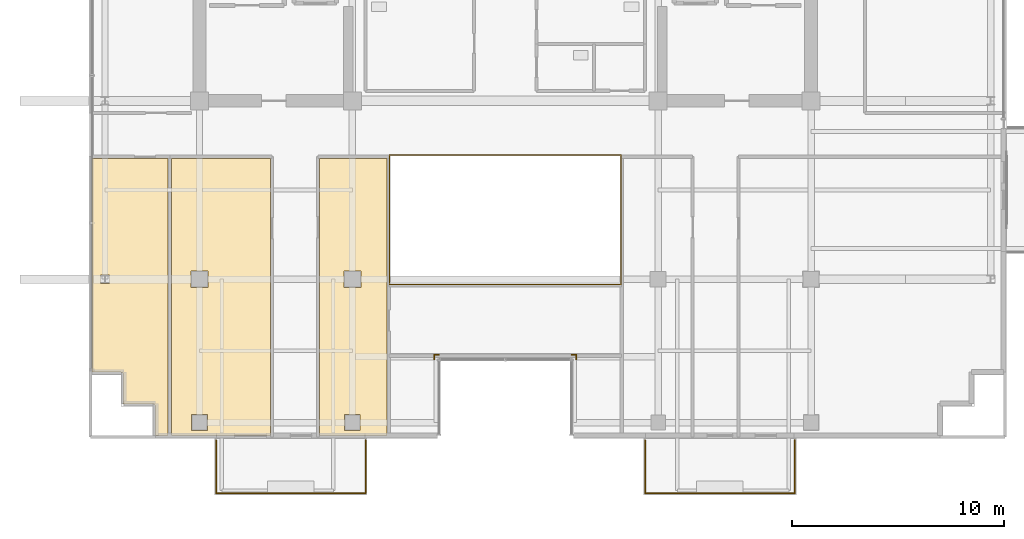
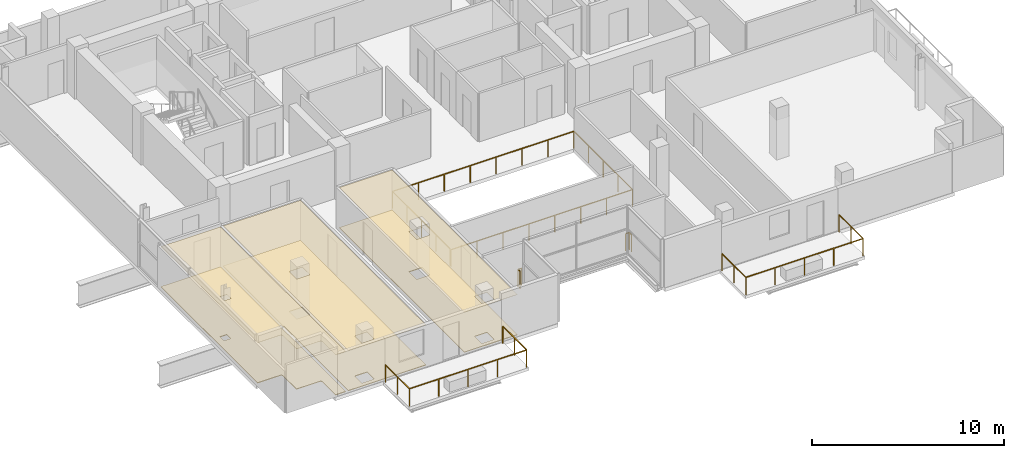
# One storey, part 19 of 23: 7 railings, 6 coverings.
"""IFC4 building model written with IfcOpenShell, lengths in metres."""

from ifc_helpers import new_model, si_unit, direction, frame, origin, origin_2d, place, context, subcontext, project, spatial, polyline, rectangle, outline, extrude, material, layer, layer_set, type_object, element, save


model = new_model("IFC4")

# Units and contexts
model_context = context("Model", 3, precision=1e-05, world=origin(), true_north=direction((0.0, 1.0)))
body_context = subcontext(model_context, "Body", "Model", "MODEL_VIEW")
ifc_project = project(units=[si_unit("LENGTHUNIT", "METRE"), si_unit("AREAUNIT", "SQUARE_METRE"), si_unit("VOLUMEUNIT", "CUBIC_METRE"), si_unit("PLANEANGLEUNIT", "RADIAN"), si_unit("MASSUNIT", "GRAM", prefix="KILO")], contexts=[model_context])

# Site, building, storey
site_placement = place(None, origin())
site = spatial("IfcSite", under=ifc_project, at=site_placement, CompositionType="ELEMENT")
building_placement = place(site_placement, origin())
building = spatial("IfcBuilding", under=site, at=building_placement, Name="Zarnakvel Exchange Tower", CompositionType="ELEMENT")
storey_placement = place(building_placement, frame((0.0, 0.0, 232.0)))
storey = spatial("IfcBuildingStorey", under=building, at=storey_placement, Name="L65", CompositionType="ELEMENT", Elevation=232.0)

# Coverings
ifc_material_1 = material(Name="Perforated Bronze Acoustic Metal Ceiling", Category="aluminium")
ifc_layer_1 = layer(ifc_material_1, 0.02001953125)
ifc_layer_set_1 = layer_set([ifc_layer_1], Name="Perforated Bronze Acoustic Metal Ceiling")
covering_type_1 = type_object("IfcCoveringType", Name="CLG-01", PredefinedType="CEILING", material=ifc_layer_set_1)
covering_1_placement = place(storey_placement, frame((0.0, 0.0, 2.554931640625)))
element("IfcCovering", 1, at=covering_1_placement, inside=storey, type_object=covering_type_1, Name="L65 Suspended Acoustic Ceiling (Commodities Dealing Room)", PredefinedType="CEILING", context=body_context, shape_type="SweptSolid", body=[
    extrude(outline(polyline([(-15.87158203125, -3.909912109375), (-15.87158203125, -16.949951171875), (-16.47998046875, -16.949951171875), (-16.47998046875, -15.60009765625), (-16.48046875, -15.588134765625), (-16.482421875, -15.57666015625), (-16.485107421875, -15.565185546875), (-16.489013671875, -15.55419921875), (-16.494140625, -15.54345703125), (-16.500244140625, -15.533447265625), (-16.50732421875, -15.52392578125), (-16.51513671875, -15.51513671875), (-16.52392578125, -15.50732421875), (-16.533447265625, -15.500244140625), (-16.54345703125, -15.494140625), (-16.55419921875, -15.489013671875), (-16.565185546875, -15.485107421875), (-16.57666015625, -15.482421875), (-16.588134765625, -15.48046875), (-16.60009765625, -15.47998046875), (-17.97998046875, -15.47998046875), (-17.97998046875, -14.10009765625), (-17.98046875, -14.088134765625), (-17.982421875, -14.07666015625), (-17.985107421875, -14.065185546875), (-17.989013671875, -14.05419921875), (-17.994140625, -14.04345703125), (-18.000244140625, -14.033447265625), (-18.00732421875, -14.02392578125), (-18.01513671875, -14.01513671875), (-18.02392578125, -14.00732421875), (-18.033447265625, -14.000244140625), (-18.04345703125, -13.994140625), (-18.05419921875, -13.989013671875), (-18.065185546875, -13.985107421875), (-18.07666015625, -13.982421875), (-18.088134765625, -13.98046875), (-18.10009765625, -13.97998046875), (-19.449951171875, -13.97998046875), (-19.449951171875, -3.909912109375), (-15.87158203125, -3.909912109375)]), holes=[polyline([(-18.642578125, -9.807373046875), (-18.642578125, -9.392578125), (-19.057373046875, -9.392578125), (-19.057373046875, -9.807373046875), (-18.642578125, -9.807373046875)])]), origin(), (0.0, 0.0, 1.0), 0.02001953125),
])
covering_2_placement = place(storey_placement, frame((0.0, 0.0, 2.554931640625)))
element("IfcCovering", 2, at=covering_2_placement, inside=storey, type_object=covering_type_1, Name="L65 Suspended Acoustic Ceiling (Brokerage Office)", PredefinedType="CEILING", context=body_context, shape_type="SweptSolid", body=[
    extrude(outline(polyline([(-15.711669921875, -3.909912109375), (-11.06005859375, -3.909912109375), (-11.06005859375, -16.949951171875), (-15.711669921875, -16.949951171875), (-15.711669921875, -3.909912109375)]), holes=[polyline([(-14.0048828125, -9.9951171875), (-14.0048828125, -9.205078125), (-14.794921875, -9.205078125), (-14.794921875, -9.9951171875), (-14.0048828125, -9.9951171875)]), polyline([(-14.030029296875, -15.97998046875), (-14.77001953125, -15.97998046875), (-14.77001953125, -16.719970703125), (-14.030029296875, -16.719970703125), (-14.030029296875, -15.97998046875)])]), origin(), (0.0, 0.0, 1.0), 0.02001953125),
])
covering_3_placement = place(storey_placement, frame((0.0, 0.0, 2.554931640625)))
element("IfcCovering", 3, at=covering_3_placement, inside=storey, type_object=covering_type_1, Name="L65 Suspended Acoustic Ceiling (Tea Pantry)", PredefinedType="CEILING", context=body_context, shape_type="SweptSolid", body=[
    extrude(outline(polyline([(-8.739990234375, -3.909912109375), (-5.56005859375, -3.909912109375), (-5.56005859375, -16.949951171875), (-8.739990234375, -16.949951171875), (-8.739990234375, -3.909912109375)]), holes=[polyline([(-6.804931640625, -9.9951171875), (-6.804931640625, -9.205078125), (-7.594970703125, -9.205078125), (-7.594970703125, -9.9951171875), (-6.804931640625, -9.9951171875)]), polyline([(-6.830078125, -16.719970703125), (-6.830078125, -15.97998046875), (-7.570068359375, -15.97998046875), (-7.570068359375, -16.719970703125), (-6.830078125, -16.719970703125)])]), origin(), (0.0, 0.0, 1.0), 0.02001953125),
])
ifc_material_2 = material(Name="Heavy-Duty Raised Access Floor Panel", Category="steel")
ifc_layer_2 = layer(ifc_material_2, 0.034912109375)
ifc_layer_set_2 = layer_set([ifc_layer_2], Name="Heavy-Duty Raised Access Floor Panel")
covering_type_2 = type_object("IfcCoveringType", Name="FLR-02", PredefinedType="FLOORING", material=ifc_layer_set_2)
covering_4_placement = place(storey_placement, origin())
element("IfcCovering", 4, at=covering_4_placement, inside=storey, type_object=covering_type_2, Name="L65 Floor Finish (Commodities Dealing Room)", PredefinedType="FLOORING", context=body_context, shape_type="SweptSolid", body=[
    extrude(outline(polyline([(-15.87158203125, -3.909912109375), (-15.87158203125, -16.949951171875), (-16.47998046875, -16.949951171875), (-16.47998046875, -15.60009765625), (-16.48046875, -15.588134765625), (-16.482421875, -15.57666015625), (-16.485107421875, -15.565185546875), (-16.489013671875, -15.55419921875), (-16.494140625, -15.54345703125), (-16.500244140625, -15.533447265625), (-16.50732421875, -15.52392578125), (-16.51513671875, -15.51513671875), (-16.52392578125, -15.50732421875), (-16.533447265625, -15.500244140625), (-16.54345703125, -15.494140625), (-16.55419921875, -15.489013671875), (-16.565185546875, -15.485107421875), (-16.57666015625, -15.482421875), (-16.588134765625, -15.48046875), (-16.60009765625, -15.47998046875), (-17.97998046875, -15.47998046875), (-17.97998046875, -14.10009765625), (-17.98046875, -14.088134765625), (-17.982421875, -14.07666015625), (-17.985107421875, -14.065185546875), (-17.989013671875, -14.05419921875), (-17.994140625, -14.04345703125), (-18.000244140625, -14.033447265625), (-18.00732421875, -14.02392578125), (-18.01513671875, -14.01513671875), (-18.02392578125, -14.00732421875), (-18.033447265625, -14.000244140625), (-18.04345703125, -13.994140625), (-18.05419921875, -13.989013671875), (-18.065185546875, -13.985107421875), (-18.07666015625, -13.982421875), (-18.088134765625, -13.98046875), (-18.10009765625, -13.97998046875), (-19.449951171875, -13.97998046875), (-19.449951171875, -3.909912109375), (-15.87158203125, -3.909912109375)]), holes=[polyline([(-18.642578125, -9.807373046875), (-18.642578125, -9.392578125), (-19.057373046875, -9.392578125), (-19.057373046875, -9.807373046875), (-18.642578125, -9.807373046875)])]), origin(), (0.0, 0.0, 1.0), 0.034912109375),
])
covering_5_placement = place(storey_placement, origin())
element("IfcCovering", 5, at=covering_5_placement, inside=storey, type_object=covering_type_2, Name="L65 Floor Finish (Brokerage Office)", PredefinedType="FLOORING", context=body_context, shape_type="SweptSolid", body=[
    extrude(outline(polyline([(-15.711669921875, -3.909912109375), (-11.06005859375, -3.909912109375), (-11.06005859375, -16.949951171875), (-15.711669921875, -16.949951171875), (-15.711669921875, -3.909912109375)]), holes=[polyline([(-14.0048828125, -9.9951171875), (-14.0048828125, -9.205078125), (-14.794921875, -9.205078125), (-14.794921875, -9.9951171875), (-14.0048828125, -9.9951171875)]), polyline([(-14.030029296875, -15.97998046875), (-14.77001953125, -15.97998046875), (-14.77001953125, -16.719970703125), (-14.030029296875, -16.719970703125), (-14.030029296875, -15.97998046875)])]), origin(), (0.0, 0.0, 1.0), 0.034912109375),
])
covering_6_placement = place(storey_placement, origin())
element("IfcCovering", 6, at=covering_6_placement, inside=storey, type_object=covering_type_2, Name="L65 Floor Finish (Tea Pantry)", PredefinedType="FLOORING", context=body_context, shape_type="SweptSolid", body=[
    extrude(outline(polyline([(-8.739990234375, -3.909912109375), (-5.56005859375, -3.909912109375), (-5.56005859375, -16.949951171875), (-8.739990234375, -16.949951171875), (-8.739990234375, -3.909912109375)]), holes=[polyline([(-6.804931640625, -9.9951171875), (-6.804931640625, -9.205078125), (-7.594970703125, -9.205078125), (-7.594970703125, -9.9951171875), (-6.804931640625, -9.9951171875)]), polyline([(-6.830078125, -16.719970703125), (-6.830078125, -15.97998046875), (-7.570068359375, -15.97998046875), (-7.570068359375, -16.719970703125), (-6.830078125, -16.719970703125)])]), origin(), (0.0, 0.0, 1.0), 0.034912109375),
])

# Railings
ifc_material_3 = material(Name="Architectural Bronze Anodised Aluminium", Category="aluminium")
railing_type_1 = type_object("IfcRailingType", Name="GR-02", PredefinedType="GUARDRAIL", material=ifc_material_3)
railing_1_placement = place(storey_placement, frame((-13.6201171875, -17.179931640625, -0.034912109375)))
element("IfcRailing", 7, at=railing_1_placement, inside=storey, type_object=railing_type_1, Name="L65 Balcony Guardrail BAL-L65-SW", PredefinedType="GUARDRAIL", context=body_context, shape_type="SweptSolid", body=[
    extrude(rectangle(XDim=0.048095703125, YDim=0.048095703125, at=origin_2d()), frame((0.0, 0.0, 1.09619140625), z_axis=(0.0, -1.0, 0.0), x_axis=(1.0, 0.0, 0.0)), (0.0, 0.0, 1.0), 2.489990234375),
    extrude(rectangle(XDim=0.048095703125, YDim=0.048095703125, at=origin_2d()), frame((0.0, -2.489990234375, 1.09619140625), z_axis=(1.0, 0.0, 0.0), x_axis=(0.0, 1.0, 0.0)), (0.0, 0.0, 1.0), 7.0400390625),
    extrude(rectangle(XDim=0.048095703125, YDim=0.048095703125, at=origin_2d()), frame((7.0400390625, -2.489990234375, 1.09619140625), z_axis=(0.0, 1.0, 0.0), x_axis=(-1.0, 0.0, 0.0)), (0.0, 0.0, 1.0), 2.489990234375),
    extrude(rectangle(XDim=0.0419921875, YDim=0.0419921875, at=origin_2d()), origin(), (0.0, 0.0, 1.0), 1.072021484375),
    extrude(rectangle(XDim=0.0419921875, YDim=0.0419921875, at=origin_2d()), frame((0.0, -1.2451171875, 0.0)), (0.0, 0.0, 1.0), 1.072021484375),
    extrude(rectangle(XDim=0.0419921875, YDim=0.0419921875, at=origin_2d()), frame((0.0, -2.489990234375, 0.0)), (0.0, 0.0, 1.0), 1.072021484375),
    extrude(rectangle(XDim=0.0419921875, YDim=0.0419921875, at=origin_2d()), frame((1.760009765625, -2.489990234375, 0.0)), (0.0, 0.0, 1.0), 1.072021484375),
    extrude(rectangle(XDim=0.0419921875, YDim=0.0419921875, at=origin_2d()), frame((3.52001953125, -2.489990234375, 0.0)), (0.0, 0.0, 1.0), 1.072021484375),
    extrude(rectangle(XDim=0.0419921875, YDim=0.0419921875, at=origin_2d()), frame((5.280029296875, -2.489990234375, 0.0)), (0.0, 0.0, 1.0), 1.072021484375),
    extrude(rectangle(XDim=0.0419921875, YDim=0.0419921875, at=origin_2d()), frame((7.0400390625, -2.489990234375, 0.0)), (0.0, 0.0, 1.0), 1.072021484375),
    extrude(rectangle(XDim=0.0419921875, YDim=0.0419921875, at=origin_2d()), frame((7.0400390625, -1.2451171875, 0.0)), (0.0, 0.0, 1.0), 1.072021484375),
    extrude(rectangle(XDim=0.0419921875, YDim=0.0419921875, at=origin_2d()), frame((7.0400390625, 0.0, 0.0)), (0.0, 0.0, 1.0), 1.072021484375),
])
railing_2_placement = place(storey_placement, frame((6.580078125, -17.179931640625, -0.034912109375)))
element("IfcRailing", 8, at=railing_2_placement, inside=storey, type_object=railing_type_1, Name="L65 Balcony Guardrail BAL-L65-SE", PredefinedType="GUARDRAIL", context=body_context, shape_type="SweptSolid", body=[
    extrude(rectangle(XDim=0.048095703125, YDim=0.048095703125, at=origin_2d()), frame((0.0, 0.0, 1.09619140625), z_axis=(0.0, -1.0, 0.0), x_axis=(1.0, 0.0, 0.0)), (0.0, 0.0, 1.0), 2.489990234375),
    extrude(rectangle(XDim=0.048095703125, YDim=0.048095703125, at=origin_2d()), frame((0.0, -2.489990234375, 1.09619140625), z_axis=(1.0, 0.0, 0.0), x_axis=(0.0, 1.0, 0.0)), (0.0, 0.0, 1.0), 7.0400390625),
    extrude(rectangle(XDim=0.048095703125, YDim=0.048095703125, at=origin_2d()), frame((7.0400390625, -2.489990234375, 1.09619140625), z_axis=(0.0, 1.0, 0.0), x_axis=(-1.0, 0.0, 0.0)), (0.0, 0.0, 1.0), 2.489990234375),
    extrude(rectangle(XDim=0.0419921875, YDim=0.0419921875, at=origin_2d()), origin(), (0.0, 0.0, 1.0), 1.072021484375),
    extrude(rectangle(XDim=0.0419921875, YDim=0.0419921875, at=origin_2d()), frame((0.0, -1.2451171875, 0.0)), (0.0, 0.0, 1.0), 1.072021484375),
    extrude(rectangle(XDim=0.0419921875, YDim=0.0419921875, at=origin_2d()), frame((0.0, -2.489990234375, 0.0)), (0.0, 0.0, 1.0), 1.072021484375),
    extrude(rectangle(XDim=0.0419921875, YDim=0.0419921875, at=origin_2d()), frame((1.760009765625, -2.489990234375, 0.0)), (0.0, 0.0, 1.0), 1.072021484375),
    extrude(rectangle(XDim=0.0419921875, YDim=0.0419921875, at=origin_2d()), frame((3.52001953125, -2.489990234375, 0.0)), (0.0, 0.0, 1.0), 1.072021484375),
    extrude(rectangle(XDim=0.0419921875, YDim=0.0419921875, at=origin_2d()), frame((5.280029296875, -2.489990234375, 0.0)), (0.0, 0.0, 1.0), 1.072021484375),
    extrude(rectangle(XDim=0.0419921875, YDim=0.0419921875, at=origin_2d()), frame((7.0400390625, -2.489990234375, 0.0)), (0.0, 0.0, 1.0), 1.072021484375),
    extrude(rectangle(XDim=0.0419921875, YDim=0.0419921875, at=origin_2d()), frame((7.0400390625, -1.2451171875, 0.0)), (0.0, 0.0, 1.0), 1.072021484375),
    extrude(rectangle(XDim=0.0419921875, YDim=0.0419921875, at=origin_2d()), frame((7.0400390625, 0.0, 0.0)), (0.0, 0.0, 1.0), 1.072021484375),
])
railing_3_placement = place(storey_placement, frame((3.340087890625, -13.3798828125, 0.0)))
element("IfcRailing", 9, at=railing_3_placement, inside=storey, type_object=railing_type_1, Name="L65 Corner Spandrel Balustrade #19", PredefinedType="GUARDRAIL", context=body_context, shape_type="SweptSolid", body=[
    extrude(rectangle(XDim=0.048095703125, YDim=0.048095703125, at=origin_2d()), frame((0.0, 0.0, 1.09619140625), z_axis=(0.0, 1.0, 0.0), x_axis=(-1.0, 0.0, 0.0)), (0.0, 0.0, 1.0), 0.219970703125),
    extrude(rectangle(XDim=0.0419921875, YDim=0.0419921875, at=origin_2d()), origin(), (0.0, 0.0, 1.0), 1.072021484375),
    extrude(rectangle(XDim=0.0419921875, YDim=0.0419921875, at=origin_2d()), frame((0.0, 0.219970703125, 0.0)), (0.0, 0.0, 1.0), 1.072021484375),
])
for number, where, name in (
    (10, (3.340087890625, -13.159912109375, 0.0), "L65 Corner Spandrel Balustrade #20"),
    (11, (-3.1201171875, -13.159912109375, 0.0), "L65 Corner Spandrel Balustrade #21"),
):
    element("IfcRailing", number, at=place(storey_placement, frame(where)), inside=storey, type_object=railing_type_1, Name=name, PredefinedType="GUARDRAIL", context=body_context, shape_type="SweptSolid", body=[
        extrude(rectangle(XDim=0.048095703125, YDim=0.048095703125, at=origin_2d()), frame((0.0, 0.0, 1.09619140625), z_axis=(-1.0, 0.0, 0.0), x_axis=(0.0, -1.0, 0.0)), (0.0, 0.0, 1.0), 0.219970703125),
        extrude(rectangle(XDim=0.0419921875, YDim=0.0419921875, at=origin_2d()), origin(), (0.0, 0.0, 1.0), 1.072021484375),
        extrude(rectangle(XDim=0.0419921875, YDim=0.0419921875, at=origin_2d()), frame((-0.219970703125, 0.0, 0.0)), (0.0, 0.0, 1.0), 1.072021484375),
    ])
railing_4_placement = place(storey_placement, frame((-3.340087890625, -13.159912109375, 0.0)))
element("IfcRailing", 12, at=railing_4_placement, inside=storey, type_object=railing_type_1, Name="L65 Corner Spandrel Balustrade #22", PredefinedType="GUARDRAIL", context=body_context, shape_type="SweptSolid", body=[
    extrude(rectangle(XDim=0.048095703125, YDim=0.048095703125, at=origin_2d()), frame((0.0, 0.0, 1.09619140625), z_axis=(0.0, -1.0, 0.0), x_axis=(1.0, 0.0, 0.0)), (0.0, 0.0, 1.0), 0.219970703125),
    extrude(rectangle(XDim=0.0419921875, YDim=0.0419921875, at=origin_2d()), origin(), (0.0, 0.0, 1.0), 1.072021484375),
    extrude(rectangle(XDim=0.0419921875, YDim=0.0419921875, at=origin_2d()), frame((0.0, -0.219970703125, 0.0)), (0.0, 0.0, 1.0), 1.072021484375),
])
railing_type_2 = type_object("IfcRailingType", Name="GR-03", PredefinedType="GUARDRAIL", material=ifc_material_3)
railing_5_placement = place(storey_placement, frame((-5.449951171875, -9.85009765625, 0.0)))
element("IfcRailing", 13, at=railing_5_placement, inside=storey, type_object=railing_type_2, Name="L65 Atrium Void Perimeter Balustrade", PredefinedType="GUARDRAIL", context=body_context, shape_type="SweptSolid", body=[
    extrude(rectangle(XDim=0.048095703125, YDim=0.048095703125, at=origin_2d()), frame((0.0, 0.0, 1.076171875), z_axis=(1.0, 0.0, 0.0), x_axis=(0.0, 1.0, 0.0)), (0.0, 0.0, 1.0), 10.89990234375),
    extrude(rectangle(XDim=0.048095703125, YDim=0.048095703125, at=origin_2d()), frame((10.89990234375, 0.0, 1.076171875), z_axis=(0.0, 1.0, 0.0), x_axis=(-1.0, 0.0, 0.0)), (0.0, 0.0, 1.0), 6.10009765625),
    extrude(rectangle(XDim=0.048095703125, YDim=0.048095703125, at=origin_2d()), frame((10.89990234375, 6.10009765625, 1.076171875), z_axis=(-1.0, 0.0, 0.0), x_axis=(0.0, -1.0, 0.0)), (0.0, 0.0, 1.0), 10.89990234375),
    extrude(rectangle(XDim=0.048095703125, YDim=0.048095703125, at=origin_2d()), frame((0.0, 6.10009765625, 1.076171875), z_axis=(0.0, -1.0, 0.0), x_axis=(1.0, 0.0, 0.0)), (0.0, 0.0, 1.0), 6.02001953125),
    extrude(rectangle(XDim=0.0419921875, YDim=0.0419921875, at=origin_2d()), origin(), (0.0, 0.0, 1.0), 1.052001953125),
    extrude(rectangle(XDim=0.0419921875, YDim=0.0419921875, at=origin_2d()), frame((1.55712890625, 0.0, 0.0)), (0.0, 0.0, 1.0), 1.052001953125),
    extrude(rectangle(XDim=0.0419921875, YDim=0.0419921875, at=origin_2d()), frame((3.1142578125, 0.0, 0.0)), (0.0, 0.0, 1.0), 1.052001953125),
    extrude(rectangle(XDim=0.0419921875, YDim=0.0419921875, at=origin_2d()), frame((4.67138671875, 0.0, 0.0)), (0.0, 0.0, 1.0), 1.052001953125),
    extrude(rectangle(XDim=0.0419921875, YDim=0.0419921875, at=origin_2d()), frame((6.228515625, 0.0, 0.0)), (0.0, 0.0, 1.0), 1.052001953125),
    extrude(rectangle(XDim=0.0419921875, YDim=0.0419921875, at=origin_2d()), frame((7.78564453125, 0.0, 0.0)), (0.0, 0.0, 1.0), 1.052001953125),
    extrude(rectangle(XDim=0.0419921875, YDim=0.0419921875, at=origin_2d()), frame((9.3427734375, 0.0, 0.0)), (0.0, 0.0, 1.0), 1.052001953125),
    extrude(rectangle(XDim=0.0419921875, YDim=0.0419921875, at=origin_2d()), frame((10.89990234375, 0.0, 0.0)), (0.0, 0.0, 1.0), 1.052001953125),
    extrude(rectangle(XDim=0.0419921875, YDim=0.0419921875, at=origin_2d()), frame((10.89990234375, 1.52490234375, 0.0)), (0.0, 0.0, 1.0), 1.052001953125),
    extrude(rectangle(XDim=0.0419921875, YDim=0.0419921875, at=origin_2d()), frame((10.89990234375, 3.050048828125, 0.0)), (0.0, 0.0, 1.0), 1.052001953125),
    extrude(rectangle(XDim=0.0419921875, YDim=0.0419921875, at=origin_2d()), frame((10.89990234375, 4.5751953125, 0.0)), (0.0, 0.0, 1.0), 1.052001953125),
    extrude(rectangle(XDim=0.0419921875, YDim=0.0419921875, at=origin_2d()), frame((10.89990234375, 6.10009765625, 0.0)), (0.0, 0.0, 1.0), 1.052001953125),
    extrude(rectangle(XDim=0.0419921875, YDim=0.0419921875, at=origin_2d()), frame((9.3427734375, 6.10009765625, 0.0)), (0.0, 0.0, 1.0), 1.052001953125),
    extrude(rectangle(XDim=0.0419921875, YDim=0.0419921875, at=origin_2d()), frame((7.78564453125, 6.10009765625, 0.0)), (0.0, 0.0, 1.0), 1.052001953125),
    extrude(rectangle(XDim=0.0419921875, YDim=0.0419921875, at=origin_2d()), frame((6.228515625, 6.10009765625, 0.0)), (0.0, 0.0, 1.0), 1.052001953125),
    extrude(rectangle(XDim=0.0419921875, YDim=0.0419921875, at=origin_2d()), frame((4.67138671875, 6.10009765625, 0.0)), (0.0, 0.0, 1.0), 1.052001953125),
    extrude(rectangle(XDim=0.0419921875, YDim=0.0419921875, at=origin_2d()), frame((3.1142578125, 6.10009765625, 0.0)), (0.0, 0.0, 1.0), 1.052001953125),
    extrude(rectangle(XDim=0.0419921875, YDim=0.0419921875, at=origin_2d()), frame((1.55712890625, 6.10009765625, 0.0)), (0.0, 0.0, 1.0), 1.052001953125),
    extrude(rectangle(XDim=0.0419921875, YDim=0.0419921875, at=origin_2d()), frame((0.0, 6.10009765625, 0.0)), (0.0, 0.0, 1.0), 1.052001953125),
    extrude(rectangle(XDim=0.0419921875, YDim=0.0419921875, at=origin_2d()), frame((0.0, 4.59521484375, 0.0)), (0.0, 0.0, 1.0), 1.052001953125),
    extrude(rectangle(XDim=0.0419921875, YDim=0.0419921875, at=origin_2d()), frame((0.0, 3.090087890625, 0.0)), (0.0, 0.0, 1.0), 1.052001953125),
    extrude(rectangle(XDim=0.0419921875, YDim=0.0419921875, at=origin_2d()), frame((0.0, 1.5849609375, 0.0)), (0.0, 0.0, 1.0), 1.052001953125),
    extrude(rectangle(XDim=0.0419921875, YDim=0.0419921875, at=origin_2d()), frame((0.0, 0.080078125, 0.0)), (0.0, 0.0, 1.0), 1.052001953125),
])

save(model, "model.ifc")
